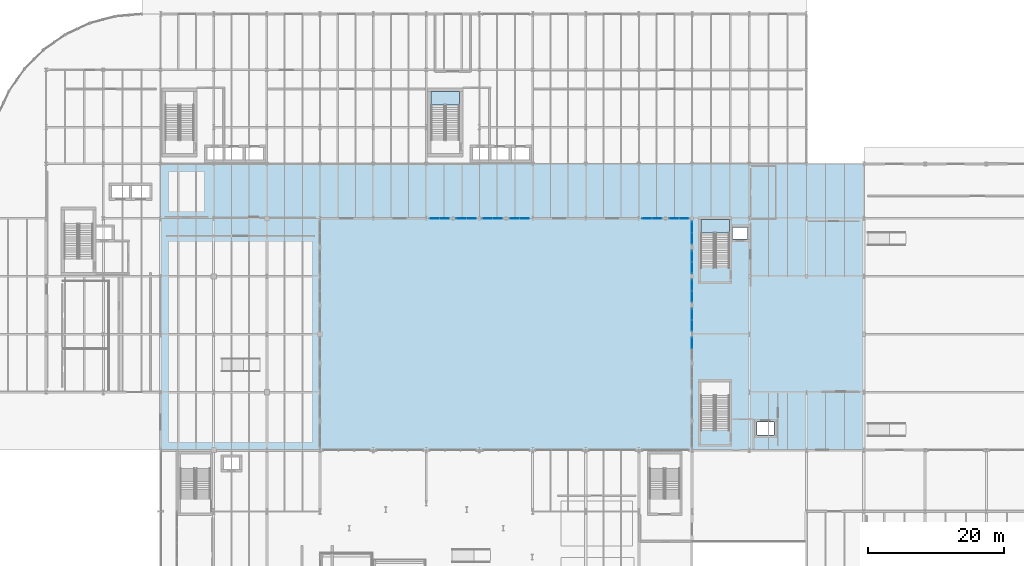
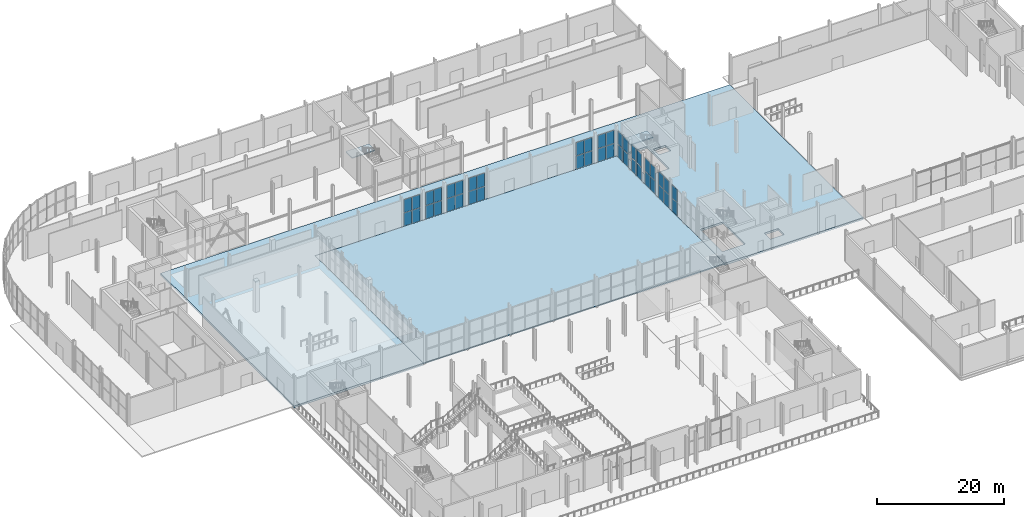
# One storey, part 50 of 84: 42 plates, 4 slabs, 13 elements without a shape of their own.
"""IFC4 building model written with IfcOpenShell, lengths in metres."""

from ifc_helpers import new_model, si_unit, direction, frame, origin, origin_2d, place, context, subcontext, project, spatial, polyline, rectangle, outline, extrude, material, layer, layer_set, type_object, element, aggregate, save


model = new_model("IFC4")

# Units and contexts
model_context = context("Model", 3, precision=1e-05, world=origin(), true_north=direction((0.0, 1.0)))
body_context = subcontext(model_context, "Body", "Model", "MODEL_VIEW")
ifc_project = project(units=[si_unit("LENGTHUNIT", "METRE"), si_unit("AREAUNIT", "SQUARE_METRE"), si_unit("VOLUMEUNIT", "CUBIC_METRE"), si_unit("PLANEANGLEUNIT", "RADIAN"), si_unit("MASSUNIT", "GRAM", prefix="KILO")], contexts=[model_context])

# Site, building, storey
site_placement = place(None, origin())
site = spatial("IfcSite", under=ifc_project, at=site_placement, CompositionType="ELEMENT")
building_placement = place(site_placement, origin())
building = spatial("IfcBuilding", under=site, at=building_placement, Name="Sefraquen Railside Congress Hotel", CompositionType="ELEMENT")
storey_placement = place(building_placement, origin())
storey = spatial("IfcBuildingStorey", under=building, at=storey_placement, Name="L00", CompositionType="ELEMENT", Elevation=0.0)

# Curtain wall, plates
ifc_material_1 = material(Name="Thermally broken anodised aluminium and low-E double glazing", Category="aluminium")
ifc_layer_1 = layer(ifc_material_1, 0.199951171875)
ifc_layer_set_1 = layer_set([ifc_layer_1], Name="Thermally broken anodised aluminium and low-E double glazing")
curtain_wall_type_1 = type_object("IfcCurtainWallType", Name="TCW-UCW-12", PredefinedType="USERDEFINED", material=ifc_layer_set_1)
curtain_wall_1_placement = place(storey_placement, origin())
curtain_wall_1 = element("IfcCurtainWall", 1, at=curtain_wall_1_placement, inside=storey, type_object=curtain_wall_type_1, Name="Courtyard north arcade curtain wall UCW-12", ObjectType="UNITISED CURTAIN WALL", PredefinedType="USERDEFINED")
ifc_material_2 = material(Name="Solar-control low-E double glazing", Category="glass")
ifc_layer_2 = layer(ifc_material_2, 0.02392578125)
ifc_layer_set_2 = layer_set([ifc_layer_2], Name="Solar-control low-E double glazing")
plate_type_1 = type_object("IfcPlateType", Name="TP-CWP-01", PredefinedType="CURTAIN_PANEL", material=ifc_layer_set_2)
plate_1_placement = place(storey_placement, frame((65.385009765625, 88.0, 0.0400390625), z_axis=(0.0, 0.0, 1.0), x_axis=(1.0, 0.0, 0.0)))
plate_1 = element("IfcPlate", 2, at=plate_1_placement, type_object=plate_type_1, Name="CW-L00-012 panel 1.1", PredefinedType="CURTAIN_PANEL", context=body_context, shape_type="SweptSolid", body=[
    extrude(rectangle(XDim=1.39990234375, YDim=0.02392578125, at=origin_2d()), origin(), (0.0, 0.0, 1.0), 2.4951171875),
])
plate_2_placement = place(storey_placement, frame((66.875, 88.0, 0.0400390625), z_axis=(0.0, 0.0, 1.0), x_axis=(1.0, 0.0, 0.0)))
plate_2 = element("IfcPlate", 3, at=plate_2_placement, type_object=plate_type_1, Name="CW-L00-012 panel 1.2", PredefinedType="CURTAIN_PANEL", context=body_context, shape_type="SweptSolid", body=[
    extrude(rectangle(XDim=1.39990234375, YDim=0.02392578125, at=origin_2d()), origin(), (0.0, 0.0, 1.0), 2.4951171875),
])

curtain_wall_2_placement = place(storey_placement, origin())
curtain_wall_2 = element("IfcCurtainWall", 4, at=curtain_wall_2_placement, inside=storey, type_object=curtain_wall_type_1, Name="Courtyard north arcade curtain wall UCW-12 bay 2", ObjectType="UNITISED CURTAIN WALL", PredefinedType="USERDEFINED")
plate_3_placement = place(storey_placement, frame((69.324951171875, 88.0, 0.0400390625), z_axis=(0.0, 0.0, 1.0), x_axis=(1.0, 0.0, 0.0)))
plate_3 = element("IfcPlate", 5, at=plate_3_placement, type_object=plate_type_1, Name="CW-L00-012-S2 panel 1.1", PredefinedType="CURTAIN_PANEL", context=body_context, shape_type="SweptSolid", body=[
    extrude(rectangle(XDim=1.39990234375, YDim=0.02392578125, at=origin_2d()), origin(), (0.0, 0.0, 1.0), 2.4951171875),
])
plate_4_placement = place(storey_placement, frame((70.81494140625, 88.0, 0.0400390625), z_axis=(0.0, 0.0, 1.0), x_axis=(1.0, 0.0, 0.0)))
plate_4 = element("IfcPlate", 6, at=plate_4_placement, type_object=plate_type_1, Name="CW-L00-012-S2 panel 1.2", PredefinedType="CURTAIN_PANEL", context=body_context, shape_type="SweptSolid", body=[
    extrude(rectangle(XDim=1.39990234375, YDim=0.02392578125, at=origin_2d()), origin(), (0.0, 0.0, 1.0), 2.4951171875),
])

ifc_layer_3 = layer(ifc_material_1, 0.199951171875)
ifc_layer_set_3 = layer_set([ifc_layer_3], Name="Thermally broken anodised aluminium and low-E double glazing")
curtain_wall_type_2 = type_object("IfcCurtainWallType", Name="TCW-UCW-13", PredefinedType="USERDEFINED", material=ifc_layer_set_3)
curtain_wall_3_placement = place(storey_placement, origin())
curtain_wall_3 = element("IfcCurtainWall", 7, at=curtain_wall_3_placement, inside=storey, type_object=curtain_wall_type_2, Name="Courtyard north arcade curtain wall UCW-13", ObjectType="UNITISED CURTAIN WALL", PredefinedType="USERDEFINED")
plate_5_placement = place(storey_placement, frame((73.18505859375, 88.0, 0.0400390625), z_axis=(0.0, 0.0, 1.0), x_axis=(1.0, 0.0, 0.0)))
plate_5 = element("IfcPlate", 8, at=plate_5_placement, type_object=plate_type_1, Name="CW-L00-013 panel 1.1", PredefinedType="CURTAIN_PANEL", context=body_context, shape_type="SweptSolid", body=[
    extrude(rectangle(XDim=1.39990234375, YDim=0.02392578125, at=origin_2d()), origin(), (0.0, 0.0, 1.0), 2.4951171875),
])
plate_6_placement = place(storey_placement, frame((74.675048828125, 88.0, 0.0400390625), z_axis=(0.0, 0.0, 1.0), x_axis=(1.0, 0.0, 0.0)))
plate_6 = element("IfcPlate", 9, at=plate_6_placement, type_object=plate_type_1, Name="CW-L00-013 panel 1.2", PredefinedType="CURTAIN_PANEL", context=body_context, shape_type="SweptSolid", body=[
    extrude(rectangle(XDim=1.39990234375, YDim=0.02392578125, at=origin_2d()), origin(), (0.0, 0.0, 1.0), 2.4951171875),
])

curtain_wall_4_placement = place(storey_placement, origin())
curtain_wall_4 = element("IfcCurtainWall", 10, at=curtain_wall_4_placement, inside=storey, type_object=curtain_wall_type_2, Name="Courtyard north arcade curtain wall UCW-13 bay 2", ObjectType="UNITISED CURTAIN WALL", PredefinedType="USERDEFINED")
plate_7_placement = place(storey_placement, frame((77.125, 88.0, 0.0400390625), z_axis=(0.0, 0.0, 1.0), x_axis=(1.0, 0.0, 0.0)))
plate_7 = element("IfcPlate", 11, at=plate_7_placement, type_object=plate_type_1, Name="CW-L00-013-S2 panel 1.1", PredefinedType="CURTAIN_PANEL", context=body_context, shape_type="SweptSolid", body=[
    extrude(rectangle(XDim=1.39990234375, YDim=0.02392578125, at=origin_2d()), origin(), (0.0, 0.0, 1.0), 2.4951171875),
])
plate_8_placement = place(storey_placement, frame((78.614990234375, 88.0, 0.0400390625), z_axis=(0.0, 0.0, 1.0), x_axis=(1.0, 0.0, 0.0)))
plate_8 = element("IfcPlate", 12, at=plate_8_placement, type_object=plate_type_1, Name="CW-L00-013-S2 panel 1.2", PredefinedType="CURTAIN_PANEL", context=body_context, shape_type="SweptSolid", body=[
    extrude(rectangle(XDim=1.39990234375, YDim=0.02392578125, at=origin_2d()), origin(), (0.0, 0.0, 1.0), 2.4951171875),
])

ifc_layer_4 = layer(ifc_material_1, 0.199951171875)
ifc_layer_set_4 = layer_set([ifc_layer_4], Name="Thermally broken anodised aluminium and low-E double glazing")
curtain_wall_type_3 = type_object("IfcCurtainWallType", Name="TCW-UCW-14", PredefinedType="USERDEFINED", material=ifc_layer_set_4)
curtain_wall_5_placement = place(storey_placement, origin())
curtain_wall_5 = element("IfcCurtainWall", 13, at=curtain_wall_5_placement, inside=storey, type_object=curtain_wall_type_3, Name="Courtyard north arcade curtain wall UCW-14", ObjectType="UNITISED CURTAIN WALL", PredefinedType="USERDEFINED")
plate_9_placement = place(storey_placement, frame((96.5849609375, 88.0, 0.0400390625), z_axis=(0.0, 0.0, 1.0), x_axis=(1.0, 0.0, 0.0)))
plate_9 = element("IfcPlate", 14, at=plate_9_placement, type_object=plate_type_1, Name="CW-L00-014 panel 1.1", PredefinedType="CURTAIN_PANEL", context=body_context, shape_type="SweptSolid", body=[
    extrude(rectangle(XDim=1.39990234375, YDim=0.02392578125, at=origin_2d()), origin(), (0.0, 0.0, 1.0), 2.4951171875),
])
plate_10_placement = place(storey_placement, frame((98.074951171875, 88.0, 0.0400390625), z_axis=(0.0, 0.0, 1.0), x_axis=(1.0, 0.0, 0.0)))
plate_10 = element("IfcPlate", 15, at=plate_10_placement, type_object=plate_type_1, Name="CW-L00-014 panel 1.2", PredefinedType="CURTAIN_PANEL", context=body_context, shape_type="SweptSolid", body=[
    extrude(rectangle(XDim=1.39990234375, YDim=0.02392578125, at=origin_2d()), origin(), (0.0, 0.0, 1.0), 2.4951171875),
])

curtain_wall_6_placement = place(storey_placement, origin())
curtain_wall_6 = element("IfcCurtainWall", 16, at=curtain_wall_6_placement, inside=storey, type_object=curtain_wall_type_3, Name="Courtyard north arcade curtain wall UCW-14 bay 2", ObjectType="UNITISED CURTAIN WALL", PredefinedType="USERDEFINED")
plate_11_placement = place(storey_placement, frame((100.52490234375, 88.0, 0.0400390625), z_axis=(0.0, 0.0, 1.0), x_axis=(1.0, 0.0, 0.0)))
plate_11 = element("IfcPlate", 17, at=plate_11_placement, type_object=plate_type_1, Name="CW-L00-014-S2 panel 1.1", PredefinedType="CURTAIN_PANEL", context=body_context, shape_type="SweptSolid", body=[
    extrude(rectangle(XDim=1.39990234375, YDim=0.02392578125, at=origin_2d()), origin(), (0.0, 0.0, 1.0), 2.4951171875),
])
plate_12_placement = place(storey_placement, frame((102.014892578125, 88.0, 0.0400390625), z_axis=(0.0, 0.0, 1.0), x_axis=(1.0, 0.0, 0.0)))
plate_12 = element("IfcPlate", 18, at=plate_12_placement, type_object=plate_type_1, Name="CW-L00-014-S2 panel 1.2", PredefinedType="CURTAIN_PANEL", context=body_context, shape_type="SweptSolid", body=[
    extrude(rectangle(XDim=1.39990234375, YDim=0.02392578125, at=origin_2d()), origin(), (0.0, 0.0, 1.0), 2.4951171875),
])

# Curtain wall, plate
ifc_layer_5 = layer(ifc_material_1, 0.199951171875)
ifc_layer_set_5 = layer_set([ifc_layer_5], Name="Thermally broken anodised aluminium and low-E double glazing")
curtain_wall_type_4 = type_object("IfcCurtainWallType", Name="TCW-UCW-18", PredefinedType="USERDEFINED", material=ifc_layer_set_5)
curtain_wall_7_placement = place(storey_placement, origin())
curtain_wall_7 = element("IfcCurtainWall", 19, at=curtain_wall_7_placement, inside=storey, type_object=curtain_wall_type_4, Name="Courtyard east arcade curtain wall UCW-18 bay 2", ObjectType="UNITISED CURTAIN WALL", PredefinedType="USERDEFINED")
plate_13_placement = place(storey_placement, frame((103.199951171875, 69.7275390625, 0.0400390625), z_axis=(0.0, 0.0, 1.0), x_axis=(0.0, 1.0, 0.0)))
plate_13 = element("IfcPlate", 20, at=plate_13_placement, type_object=plate_type_1, Name="CW-L00-018-S2 panel 1.2", PredefinedType="CURTAIN_PANEL", context=body_context, shape_type="SweptSolid", body=[
    extrude(rectangle(XDim=1.574951171875, YDim=0.02392578125, at=origin_2d()), origin(), (0.0, 0.0, 1.0), 2.4951171875),
])

# Curtain wall, plates
ifc_layer_6 = layer(ifc_material_1, 0.199951171875)
ifc_layer_set_6 = layer_set([ifc_layer_6], Name="Thermally broken anodised aluminium and low-E double glazing")
curtain_wall_type_5 = type_object("IfcCurtainWallType", Name="TCW-UCW-20", PredefinedType="USERDEFINED", material=ifc_layer_set_6)
curtain_wall_8_placement = place(storey_placement, origin())
curtain_wall_8 = element("IfcCurtainWall", 21, at=curtain_wall_8_placement, inside=storey, type_object=curtain_wall_type_5, Name="Courtyard east arcade curtain wall UCW-20", ObjectType="UNITISED CURTAIN WALL", PredefinedType="USERDEFINED")
plate_14_placement = place(storey_placement, frame((103.199951171875, 72.2724609375, 0.0400390625), z_axis=(0.0, 0.0, 1.0), x_axis=(0.0, 1.0, 0.0)))
plate_14 = element("IfcPlate", 22, at=plate_14_placement, type_object=plate_type_1, Name="CW-L00-020 panel 1.1", PredefinedType="CURTAIN_PANEL", context=body_context, shape_type="SweptSolid", body=[
    extrude(rectangle(XDim=1.574951171875, YDim=0.02392578125, at=origin_2d()), origin(), (0.0, 0.0, 1.0), 2.4951171875),
])
plate_15_placement = place(storey_placement, frame((103.199951171875, 73.9375, 0.0400390625), z_axis=(0.0, 0.0, 1.0), x_axis=(0.0, 1.0, 0.0)))
plate_15 = element("IfcPlate", 23, at=plate_15_placement, type_object=plate_type_1, Name="CW-L00-020 panel 1.2", PredefinedType="CURTAIN_PANEL", context=body_context, shape_type="SweptSolid", body=[
    extrude(rectangle(XDim=1.574951171875, YDim=0.02392578125, at=origin_2d()), origin(), (0.0, 0.0, 1.0), 2.4951171875),
])

curtain_wall_9_placement = place(storey_placement, origin())
curtain_wall_9 = element("IfcCurtainWall", 24, at=curtain_wall_9_placement, inside=storey, type_object=curtain_wall_type_5, Name="Courtyard east arcade curtain wall UCW-20 bay 2", ObjectType="UNITISED CURTAIN WALL", PredefinedType="USERDEFINED")
plate_16_placement = place(storey_placement, frame((103.199951171875, 76.5625, 0.0400390625), z_axis=(0.0, 0.0, 1.0), x_axis=(0.0, 1.0, 0.0)))
plate_16 = element("IfcPlate", 25, at=plate_16_placement, type_object=plate_type_1, Name="CW-L00-020-S2 panel 1.1", PredefinedType="CURTAIN_PANEL", context=body_context, shape_type="SweptSolid", body=[
    extrude(rectangle(XDim=1.574951171875, YDim=0.02392578125, at=origin_2d()), origin(), (0.0, 0.0, 1.0), 2.4951171875),
])
plate_17_placement = place(storey_placement, frame((103.199951171875, 78.2275390625, 0.0400390625), z_axis=(0.0, 0.0, 1.0), x_axis=(0.0, 1.0, 0.0)))
plate_17 = element("IfcPlate", 26, at=plate_17_placement, type_object=plate_type_1, Name="CW-L00-020-S2 panel 1.2", PredefinedType="CURTAIN_PANEL", context=body_context, shape_type="SweptSolid", body=[
    extrude(rectangle(XDim=1.574951171875, YDim=0.02392578125, at=origin_2d()), origin(), (0.0, 0.0, 1.0), 2.4951171875),
])

ifc_layer_7 = layer(ifc_material_1, 0.199951171875)
ifc_layer_set_7 = layer_set([ifc_layer_7], Name="Thermally broken anodised aluminium and low-E double glazing")
curtain_wall_type_6 = type_object("IfcCurtainWallType", Name="TCW-UCW-22", PredefinedType="USERDEFINED", material=ifc_layer_set_7)
curtain_wall_10_placement = place(storey_placement, origin())
curtain_wall_10 = element("IfcCurtainWall", 27, at=curtain_wall_10_placement, inside=storey, type_object=curtain_wall_type_6, Name="Courtyard east arcade curtain wall UCW-22", ObjectType="UNITISED CURTAIN WALL", PredefinedType="USERDEFINED")
plate_18_placement = place(storey_placement, frame((103.199951171875, 80.7724609375, 0.0400390625), z_axis=(0.0, 0.0, 1.0), x_axis=(0.0, 1.0, 0.0)))
plate_18 = element("IfcPlate", 28, at=plate_18_placement, type_object=plate_type_1, Name="CW-L00-022 panel 1.1", PredefinedType="CURTAIN_PANEL", context=body_context, shape_type="SweptSolid", body=[
    extrude(rectangle(XDim=1.574951171875, YDim=0.02392578125, at=origin_2d()), origin(), (0.0, 0.0, 1.0), 2.4951171875),
])
plate_19_placement = place(storey_placement, frame((103.199951171875, 82.4375, 0.0400390625), z_axis=(0.0, 0.0, 1.0), x_axis=(0.0, 1.0, 0.0)))
plate_19 = element("IfcPlate", 29, at=plate_19_placement, type_object=plate_type_1, Name="CW-L00-022 panel 1.2", PredefinedType="CURTAIN_PANEL", context=body_context, shape_type="SweptSolid", body=[
    extrude(rectangle(XDim=1.574951171875, YDim=0.02392578125, at=origin_2d()), origin(), (0.0, 0.0, 1.0), 2.4951171875),
])

curtain_wall_11_placement = place(storey_placement, origin())
curtain_wall_11 = element("IfcCurtainWall", 30, at=curtain_wall_11_placement, inside=storey, type_object=curtain_wall_type_6, Name="Courtyard east arcade curtain wall UCW-22 bay 2", ObjectType="UNITISED CURTAIN WALL", PredefinedType="USERDEFINED")
plate_20_placement = place(storey_placement, frame((103.199951171875, 85.0625, 0.0400390625), z_axis=(0.0, 0.0, 1.0), x_axis=(0.0, 1.0, 0.0)))
plate_20 = element("IfcPlate", 31, at=plate_20_placement, type_object=plate_type_1, Name="CW-L00-022-S2 panel 1.1", PredefinedType="CURTAIN_PANEL", context=body_context, shape_type="SweptSolid", body=[
    extrude(rectangle(XDim=1.574951171875, YDim=0.02392578125, at=origin_2d()), origin(), (0.0, 0.0, 1.0), 2.4951171875),
])
plate_21_placement = place(storey_placement, frame((103.199951171875, 86.7275390625, 0.0400390625), z_axis=(0.0, 0.0, 1.0), x_axis=(0.0, 1.0, 0.0)))
plate_21 = element("IfcPlate", 32, at=plate_21_placement, type_object=plate_type_1, Name="CW-L00-022-S2 panel 1.2", PredefinedType="CURTAIN_PANEL", context=body_context, shape_type="SweptSolid", body=[
    extrude(rectangle(XDim=1.574951171875, YDim=0.02392578125, at=origin_2d()), origin(), (0.0, 0.0, 1.0), 2.4951171875),
])

# Plate
ifc_material_3 = material(Name="Triple acoustic solar-control glazing", Category="glass")
ifc_layer_8 = layer(ifc_material_3, 0.031982421875)
ifc_layer_set_8 = layer_set([ifc_layer_8], Name="Triple acoustic solar-control glazing")
plate_type_2 = type_object("IfcPlateType", Name="TP-CWP-02", PredefinedType="CURTAIN_PANEL", material=ifc_layer_set_8)
plate_22_placement = place(storey_placement, frame((65.385009765625, 88.0, 2.614990234375), z_axis=(0.0, 0.0, 1.0), x_axis=(1.0, 0.0, 0.0)))
plate_22 = element("IfcPlate", 33, at=plate_22_placement, type_object=plate_type_2, Name="CW-L00-012 panel 2.1", PredefinedType="CURTAIN_PANEL", context=body_context, shape_type="SweptSolid", body=[
    extrude(rectangle(XDim=1.39990234375, YDim=0.031982421875, at=origin_2d()), origin(), (0.0, 0.0, 1.0), 2.4951171875),
])

plate_23_placement = place(storey_placement, frame((66.875, 88.0, 2.614990234375), z_axis=(0.0, 0.0, 1.0), x_axis=(1.0, 0.0, 0.0)))
plate_23 = element("IfcPlate", 34, at=plate_23_placement, type_object=plate_type_2, Name="CW-L00-012 panel 2.2", PredefinedType="CURTAIN_PANEL", context=body_context, shape_type="SweptSolid", body=[
    extrude(rectangle(XDim=1.39990234375, YDim=0.031982421875, at=origin_2d()), origin(), (0.0, 0.0, 1.0), 2.4951171875),
])

aggregate(curtain_wall_1, [plate_1, plate_2, plate_22, plate_23])

plate_24_placement = place(storey_placement, frame((69.324951171875, 88.0, 2.614990234375), z_axis=(0.0, 0.0, 1.0), x_axis=(1.0, 0.0, 0.0)))
plate_24 = element("IfcPlate", 35, at=plate_24_placement, type_object=plate_type_2, Name="CW-L00-012-S2 panel 2.1", PredefinedType="CURTAIN_PANEL", context=body_context, shape_type="SweptSolid", body=[
    extrude(rectangle(XDim=1.39990234375, YDim=0.031982421875, at=origin_2d()), origin(), (0.0, 0.0, 1.0), 2.4951171875),
])

plate_25_placement = place(storey_placement, frame((70.81494140625, 88.0, 2.614990234375), z_axis=(0.0, 0.0, 1.0), x_axis=(1.0, 0.0, 0.0)))
plate_25 = element("IfcPlate", 36, at=plate_25_placement, type_object=plate_type_2, Name="CW-L00-012-S2 panel 2.2", PredefinedType="CURTAIN_PANEL", context=body_context, shape_type="SweptSolid", body=[
    extrude(rectangle(XDim=1.39990234375, YDim=0.031982421875, at=origin_2d()), origin(), (0.0, 0.0, 1.0), 2.4951171875),
])

aggregate(curtain_wall_2, [plate_3, plate_4, plate_24, plate_25])

plate_26_placement = place(storey_placement, frame((73.18505859375, 88.0, 2.614990234375), z_axis=(0.0, 0.0, 1.0), x_axis=(1.0, 0.0, 0.0)))
plate_26 = element("IfcPlate", 37, at=plate_26_placement, type_object=plate_type_2, Name="CW-L00-013 panel 2.1", PredefinedType="CURTAIN_PANEL", context=body_context, shape_type="SweptSolid", body=[
    extrude(rectangle(XDim=1.39990234375, YDim=0.031982421875, at=origin_2d()), origin(), (0.0, 0.0, 1.0), 2.4951171875),
])

plate_27_placement = place(storey_placement, frame((74.675048828125, 88.0, 2.614990234375), z_axis=(0.0, 0.0, 1.0), x_axis=(1.0, 0.0, 0.0)))
plate_27 = element("IfcPlate", 38, at=plate_27_placement, type_object=plate_type_2, Name="CW-L00-013 panel 2.2", PredefinedType="CURTAIN_PANEL", context=body_context, shape_type="SweptSolid", body=[
    extrude(rectangle(XDim=1.39990234375, YDim=0.031982421875, at=origin_2d()), origin(), (0.0, 0.0, 1.0), 2.4951171875),
])

aggregate(curtain_wall_3, [plate_5, plate_6, plate_26, plate_27])

plate_28_placement = place(storey_placement, frame((77.125, 88.0, 2.614990234375), z_axis=(0.0, 0.0, 1.0), x_axis=(1.0, 0.0, 0.0)))
plate_28 = element("IfcPlate", 39, at=plate_28_placement, type_object=plate_type_2, Name="CW-L00-013-S2 panel 2.1", PredefinedType="CURTAIN_PANEL", context=body_context, shape_type="SweptSolid", body=[
    extrude(rectangle(XDim=1.39990234375, YDim=0.031982421875, at=origin_2d()), origin(), (0.0, 0.0, 1.0), 2.4951171875),
])

plate_29_placement = place(storey_placement, frame((78.614990234375, 88.0, 2.614990234375), z_axis=(0.0, 0.0, 1.0), x_axis=(1.0, 0.0, 0.0)))
plate_29 = element("IfcPlate", 40, at=plate_29_placement, type_object=plate_type_2, Name="CW-L00-013-S2 panel 2.2", PredefinedType="CURTAIN_PANEL", context=body_context, shape_type="SweptSolid", body=[
    extrude(rectangle(XDim=1.39990234375, YDim=0.031982421875, at=origin_2d()), origin(), (0.0, 0.0, 1.0), 2.4951171875),
])

aggregate(curtain_wall_4, [plate_7, plate_8, plate_28, plate_29])

plate_30_placement = place(storey_placement, frame((96.5849609375, 88.0, 2.614990234375), z_axis=(0.0, 0.0, 1.0), x_axis=(1.0, 0.0, 0.0)))
plate_30 = element("IfcPlate", 41, at=plate_30_placement, type_object=plate_type_2, Name="CW-L00-014 panel 2.1", PredefinedType="CURTAIN_PANEL", context=body_context, shape_type="SweptSolid", body=[
    extrude(rectangle(XDim=1.39990234375, YDim=0.031982421875, at=origin_2d()), origin(), (0.0, 0.0, 1.0), 2.4951171875),
])

plate_31_placement = place(storey_placement, frame((98.074951171875, 88.0, 2.614990234375), z_axis=(0.0, 0.0, 1.0), x_axis=(1.0, 0.0, 0.0)))
plate_31 = element("IfcPlate", 42, at=plate_31_placement, type_object=plate_type_2, Name="CW-L00-014 panel 2.2", PredefinedType="CURTAIN_PANEL", context=body_context, shape_type="SweptSolid", body=[
    extrude(rectangle(XDim=1.39990234375, YDim=0.031982421875, at=origin_2d()), origin(), (0.0, 0.0, 1.0), 2.4951171875),
])

aggregate(curtain_wall_5, [plate_9, plate_10, plate_30, plate_31])

plate_32_placement = place(storey_placement, frame((100.52490234375, 88.0, 2.614990234375), z_axis=(0.0, 0.0, 1.0), x_axis=(1.0, 0.0, 0.0)))
plate_32 = element("IfcPlate", 43, at=plate_32_placement, type_object=plate_type_2, Name="CW-L00-014-S2 panel 2.1", PredefinedType="CURTAIN_PANEL", context=body_context, shape_type="SweptSolid", body=[
    extrude(rectangle(XDim=1.39990234375, YDim=0.031982421875, at=origin_2d()), origin(), (0.0, 0.0, 1.0), 2.4951171875),
])

plate_33_placement = place(storey_placement, frame((102.014892578125, 88.0, 2.614990234375), z_axis=(0.0, 0.0, 1.0), x_axis=(1.0, 0.0, 0.0)))
plate_33 = element("IfcPlate", 44, at=plate_33_placement, type_object=plate_type_2, Name="CW-L00-014-S2 panel 2.2", PredefinedType="CURTAIN_PANEL", context=body_context, shape_type="SweptSolid", body=[
    extrude(rectangle(XDim=1.39990234375, YDim=0.031982421875, at=origin_2d()), origin(), (0.0, 0.0, 1.0), 2.4951171875),
])

aggregate(curtain_wall_6, [plate_11, plate_12, plate_32, plate_33])

plate_34_placement = place(storey_placement, frame((103.199951171875, 69.7275390625, 2.614990234375), z_axis=(0.0, 0.0, 1.0), x_axis=(0.0, 1.0, 0.0)))
plate_34 = element("IfcPlate", 45, at=plate_34_placement, type_object=plate_type_2, Name="CW-L00-018-S2 panel 2.2", PredefinedType="CURTAIN_PANEL", context=body_context, shape_type="SweptSolid", body=[
    extrude(rectangle(XDim=1.574951171875, YDim=0.031982421875, at=origin_2d()), origin(), (0.0, 0.0, 1.0), 2.4951171875),
])

aggregate(curtain_wall_7, [plate_13, plate_34])

plate_35_placement = place(storey_placement, frame((103.199951171875, 72.2724609375, 2.614990234375), z_axis=(0.0, 0.0, 1.0), x_axis=(0.0, 1.0, 0.0)))
plate_35 = element("IfcPlate", 46, at=plate_35_placement, type_object=plate_type_2, Name="CW-L00-020 panel 2.1", PredefinedType="CURTAIN_PANEL", context=body_context, shape_type="SweptSolid", body=[
    extrude(rectangle(XDim=1.574951171875, YDim=0.031982421875, at=origin_2d()), origin(), (0.0, 0.0, 1.0), 2.4951171875),
])

plate_36_placement = place(storey_placement, frame((103.199951171875, 73.9375, 2.614990234375), z_axis=(0.0, 0.0, 1.0), x_axis=(0.0, 1.0, 0.0)))
plate_36 = element("IfcPlate", 47, at=plate_36_placement, type_object=plate_type_2, Name="CW-L00-020 panel 2.2", PredefinedType="CURTAIN_PANEL", context=body_context, shape_type="SweptSolid", body=[
    extrude(rectangle(XDim=1.574951171875, YDim=0.031982421875, at=origin_2d()), origin(), (0.0, 0.0, 1.0), 2.4951171875),
])

aggregate(curtain_wall_8, [plate_14, plate_15, plate_35, plate_36])

plate_37_placement = place(storey_placement, frame((103.199951171875, 76.5625, 2.614990234375), z_axis=(0.0, 0.0, 1.0), x_axis=(0.0, 1.0, 0.0)))
plate_37 = element("IfcPlate", 48, at=plate_37_placement, type_object=plate_type_2, Name="CW-L00-020-S2 panel 2.1", PredefinedType="CURTAIN_PANEL", context=body_context, shape_type="SweptSolid", body=[
    extrude(rectangle(XDim=1.574951171875, YDim=0.031982421875, at=origin_2d()), origin(), (0.0, 0.0, 1.0), 2.4951171875),
])

plate_38_placement = place(storey_placement, frame((103.199951171875, 78.2275390625, 2.614990234375), z_axis=(0.0, 0.0, 1.0), x_axis=(0.0, 1.0, 0.0)))
plate_38 = element("IfcPlate", 49, at=plate_38_placement, type_object=plate_type_2, Name="CW-L00-020-S2 panel 2.2", PredefinedType="CURTAIN_PANEL", context=body_context, shape_type="SweptSolid", body=[
    extrude(rectangle(XDim=1.574951171875, YDim=0.031982421875, at=origin_2d()), origin(), (0.0, 0.0, 1.0), 2.4951171875),
])

aggregate(curtain_wall_9, [plate_16, plate_17, plate_37, plate_38])

plate_39_placement = place(storey_placement, frame((103.199951171875, 80.7724609375, 2.614990234375), z_axis=(0.0, 0.0, 1.0), x_axis=(0.0, 1.0, 0.0)))
plate_39 = element("IfcPlate", 50, at=plate_39_placement, type_object=plate_type_2, Name="CW-L00-022 panel 2.1", PredefinedType="CURTAIN_PANEL", context=body_context, shape_type="SweptSolid", body=[
    extrude(rectangle(XDim=1.574951171875, YDim=0.031982421875, at=origin_2d()), origin(), (0.0, 0.0, 1.0), 2.4951171875),
])

plate_40_placement = place(storey_placement, frame((103.199951171875, 82.4375, 2.614990234375), z_axis=(0.0, 0.0, 1.0), x_axis=(0.0, 1.0, 0.0)))
plate_40 = element("IfcPlate", 51, at=plate_40_placement, type_object=plate_type_2, Name="CW-L00-022 panel 2.2", PredefinedType="CURTAIN_PANEL", context=body_context, shape_type="SweptSolid", body=[
    extrude(rectangle(XDim=1.574951171875, YDim=0.031982421875, at=origin_2d()), origin(), (0.0, 0.0, 1.0), 2.4951171875),
])

aggregate(curtain_wall_10, [plate_18, plate_19, plate_39, plate_40])

plate_41_placement = place(storey_placement, frame((103.199951171875, 85.0625, 2.614990234375), z_axis=(0.0, 0.0, 1.0), x_axis=(0.0, 1.0, 0.0)))
plate_41 = element("IfcPlate", 52, at=plate_41_placement, type_object=plate_type_2, Name="CW-L00-022-S2 panel 2.1", PredefinedType="CURTAIN_PANEL", context=body_context, shape_type="SweptSolid", body=[
    extrude(rectangle(XDim=1.574951171875, YDim=0.031982421875, at=origin_2d()), origin(), (0.0, 0.0, 1.0), 2.4951171875),
])

plate_42_placement = place(storey_placement, frame((103.199951171875, 86.7275390625, 2.614990234375), z_axis=(0.0, 0.0, 1.0), x_axis=(0.0, 1.0, 0.0)))
plate_42 = element("IfcPlate", 53, at=plate_42_placement, type_object=plate_type_2, Name="CW-L00-022-S2 panel 2.2", PredefinedType="CURTAIN_PANEL", context=body_context, shape_type="SweptSolid", body=[
    extrude(rectangle(XDim=1.574951171875, YDim=0.031982421875, at=origin_2d()), origin(), (0.0, 0.0, 1.0), 2.4951171875),
])

aggregate(curtain_wall_11, [plate_20, plate_21, plate_41, plate_42])

# Slabs
ifc_material_4 = material(Name="Concrete C40/50", Category="concrete")
ifc_layer_9 = layer(ifc_material_4, 0.219970703125)
ifc_layer_set_9 = layer_set([ifc_layer_9], Name="Concrete C40/50")
slab_type_1 = type_object("IfcSlabType", Name="TS-FS-220", PredefinedType="FLOOR", material=ifc_layer_set_9)
slab_1_placement = place(storey_placement, frame((0.0, 0.0, -0.219970703125)))
element("IfcSlab", 54, at=slab_1_placement, inside=storey, type_object=slab_type_1, Name="Central Moroccan courtyard zellij paving", ObjectType="PAVING", PredefinedType="USERDEFINED", context=body_context, shape_type="SweptSolid", body=[
    extrude(outline(polyline([(48.60009765625, 54.050048828125), (103.199951171875, 54.050048828125), (103.199951171875, 88.0), (48.60009765625, 88.0), (48.60009765625, 54.050048828125)])), origin(), (0.0, 0.0, 1.0), 0.219970703125),
])
ifc_layer_10 = layer(ifc_material_4, 0.39990234375)
ifc_layer_set_10 = layer_set([ifc_layer_10], Name="Concrete C40/50")
slab_type_2 = type_object("IfcSlabType", Name="TS-FS-400", PredefinedType="FLOOR", material=ifc_layer_set_10)
slab_2_placement = place(storey_placement, frame((0.0, 0.0, -0.39990234375)))
element("IfcSlab", 55, at=slab_2_placement, inside=storey, type_object=slab_type_2, Name="Pre-function foyer and meeting wing L00 floor slab", PredefinedType="FLOOR", context=body_context, shape_type="SweptSolid", body=[
    extrude(outline(polyline([(25.199951171875, 54.050048828125), (48.60009765625, 54.050048828125), (48.60009765625, 88.0), (103.199951171875, 88.0), (103.199951171875, 54.050048828125), (128.35009765625, 54.050048828125), (128.35009765625, 96.0), (25.199951171875, 96.0), (25.199951171875, 54.050048828125)]), holes=[polyline([(104.5, 80.8701171875), (108.659912109375, 80.8701171875), (108.659912109375, 87.862060546875), (104.5, 87.862060546875), (104.5, 80.8701171875)]), polyline([(104.5, 57.02001953125), (108.659912109375, 57.02001953125), (108.659912109375, 64.011962890625), (104.5, 64.011962890625), (104.5, 57.02001953125)]), polyline([(109.1298828125, 85.0), (111.330078125, 85.0), (111.330078125, 86.699951171875), (109.1298828125, 86.699951171875), (109.1298828125, 85.0)]), polyline([(112.75, 56.219970703125), (115.25, 56.219970703125), (115.25, 58.1201171875), (112.75, 58.1201171875), (112.75, 56.219970703125)])]), origin(), (0.0, 0.0, 1.0), 0.39990234375),
])

# Stair, slab
stair_type_1 = type_object("IfcStairType", Name="TST-DOG-198-450", PredefinedType="HALF_TURN_STAIR", material=ifc_material_4)
stair_1_placement = place(storey_placement, origin())
stair_1 = element("IfcStair", 56, at=stair_1_placement, inside=storey, type_object=stair_type_1, Name="L00 Pressurized escape stair ST-H03", PredefinedType="HALF_TURN_STAIR")
ifc_layer_11 = layer(ifc_material_4, 0.199951171875)
ifc_layer_set_11 = layer_set([ifc_layer_11], Name="Concrete C40/50")
slab_type_3 = type_object("IfcSlabType", Name="TS-LD-200", PredefinedType="LANDING", material=ifc_layer_set_11)
slab_3_placement = place(storey_placement, frame((0.0, 0.0, 2.800048828125)))
slab_3 = element("IfcSlab", 57, at=slab_3_placement, type_object=slab_type_3, Name="ST-H03 landing 1", PredefinedType="LANDING", context=body_context, shape_type="SweptSolid", body=[
    extrude(outline(polyline([(69.06005859375, 104.632080078125), (69.06005859375, 106.612060546875), (64.89990234375, 106.612060546875), (64.89990234375, 104.632080078125), (69.06005859375, 104.632080078125)])), origin(), (0.0, 0.0, 1.0), 0.199951171875),
])
aggregate(stair_1, [slab_3])

stair_type_2 = type_object("IfcStairType", Name="TST-DOG-198-480", PredefinedType="HALF_TURN_STAIR", material=ifc_material_4)
stair_2_placement = place(storey_placement, origin())
stair_2 = element("IfcStair", 58, at=stair_2_placement, inside=storey, type_object=stair_type_2, Name="L00 Pressurized escape stair ST-M01", PredefinedType="HALF_TURN_STAIR")
slab_4_placement = place(storey_placement, frame((0.0, 0.0, 2.800048828125)))
slab_4 = element("IfcSlab", 59, at=slab_4_placement, type_object=slab_type_3, Name="ST-M01 landing 1", PredefinedType="LANDING", context=body_context, shape_type="SweptSolid", body=[
    extrude(outline(polyline([(108.659912109375, 85.882080078125), (108.659912109375, 87.862060546875), (104.5, 87.862060546875), (104.5, 85.882080078125), (108.659912109375, 85.882080078125)])), origin(), (0.0, 0.0, 1.0), 0.199951171875),
])
aggregate(stair_2, [slab_4])

save(model, "model.ifc")
